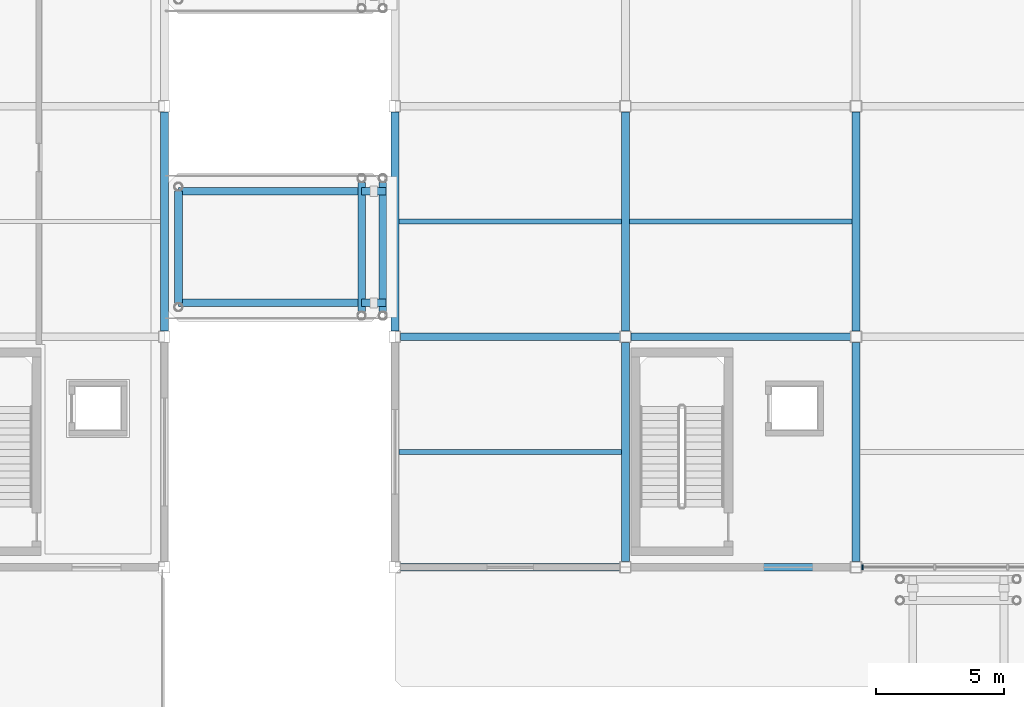
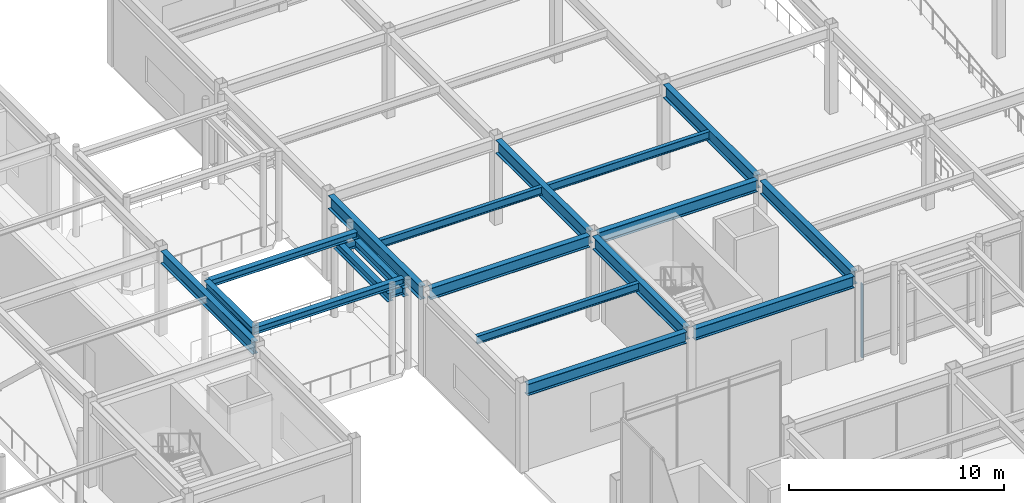
# One storey, part 41 of 123: 20 beams, 1 member, 1 element without a shape of its own.
"""IFC4 building model written with IfcOpenShell, lengths in metres."""

from ifc_helpers import new_model, si_unit, direction, frame, origin, origin_2d, place, context, subcontext, project, spatial, rectangle, i_section, extrude, material, material_profile, profile_set, type_object, element, aggregate, save


model = new_model("IFC4")

# Units and contexts
model_context = context("Model", 3, precision=1e-05, world=origin(), true_north=direction((0.0, 1.0)))
body_context = subcontext(model_context, "Body", "Model", "MODEL_VIEW")
ifc_project = project(units=[si_unit("LENGTHUNIT", "METRE"), si_unit("AREAUNIT", "SQUARE_METRE"), si_unit("VOLUMEUNIT", "CUBIC_METRE"), si_unit("PLANEANGLEUNIT", "RADIAN"), si_unit("MASSUNIT", "GRAM", prefix="KILO")], contexts=[model_context])

# Site, building, storey
site_placement = place(None, origin())
site = spatial("IfcSite", under=ifc_project, at=site_placement, CompositionType="ELEMENT")
building_placement = place(site_placement, origin())
building = spatial("IfcBuilding", under=site, at=building_placement, Name="Suzunagisa Mobility Hub", CompositionType="ELEMENT")
storey_placement = place(building_placement, origin())
storey = spatial("IfcBuildingStorey", under=building, at=storey_placement, Name="L00", CompositionType="ELEMENT", Elevation=0.0)

# Curtain wall, member
ifc_material_1 = material(Name="Thermally Broken Anodized Aluminum and Low-E Glazing", Category="aluminium")
curtain_wall_type = type_object("IfcCurtainWallType", Name="Unitised Curtain Wall CW-32 8500x4200", PredefinedType="USERDEFINED", material=ifc_material_1)
curtain_wall_placement = place(storey_placement, origin())
curtain_wall = element("IfcCurtainWall", 1, at=curtain_wall_placement, inside=storey, type_object=curtain_wall_type, Name="L00 Unitised Curtain Wall CW-91", ObjectType="UNITISED CURTAIN WALL", PredefinedType="USERDEFINED")
ifc_material_2 = material(Name="Anodized Aluminum 6063-T6", Category="aluminium")
ifc_material_profile_1 = material_profile(ifc_material_2, rectangle(XDim=0.06494140625, YDim=0.179931640625, at=origin_2d()), Name="MULL-65x180")
ifc_profile_set_1 = profile_set([ifc_material_profile_1], Name="Anodized Aluminum 6063-T6")
member_type = type_object("IfcMemberType", Name="Curtain Wall Framing CM-04 MULL-65x180", PredefinedType="MULLION", material=ifc_profile_set_1)
member_placement = place(storey_placement, frame((63.257568359375, 80.0, 0.0), z_axis=(0.0, 0.0, 1.0), x_axis=(1.0, 0.0, 0.0)))
member = element("IfcMember", 2, at=member_placement, type_object=member_type, Name="Curtain Wall Mullion 91-M1", PredefinedType="MULLION", context=body_context, shape_type="SweptSolid", body=[
    extrude(rectangle(XDim=0.06494140625, YDim=0.179931640625, at=origin_2d()), origin(), (0.0, 0.0, 1.0), 4.18994140625),
])
aggregate(curtain_wall, [member])

# Beams
ifc_material_3 = material(Name="Steel SN400B", Category="steel")
ifc_material_profile_2 = material_profile(ifc_material_3, i_section(OverallWidth=0.199951171875, OverallDepth=0.449951171875, WebThickness=0.009033203125, FlangeThickness=0.013916015625, FilletRadius=0.012939453125, at=origin_2d()), Name="H-450x200x9x14")
ifc_profile_set_2 = profile_set([ifc_material_profile_2], Name="Steel SN400B")
beam_type_1 = type_object("IfcBeamType", Name="Steel Beam BM-05 H-450x200x9x14", PredefinedType="JOIST", material=ifc_profile_set_2)
for number, where, z_axis, x_axis, name in (
    (3, (45.14990234375, 84.5, 4.614990234375), (1.0, 0.0, 0.0), (0.0, 1.0, 0.0), "L00 Composite Floor Joist J-779"),
    (4, (45.14990234375, 93.5, 4.614990234375), (1.0, 0.0, 0.0), (0.0, 1.0, 0.0), "L00 Composite Floor Joist J-780"),
    (5, (54.14990234375, 93.5, 4.614990234375), (1.0, 0.0, 0.0), (0.0, 1.0, 0.0), "L00 Composite Floor Joist J-783"),
):
    element("IfcBeam", number, at=place(storey_placement, frame(where, z_axis=z_axis, x_axis=x_axis)), inside=storey, type_object=beam_type_1, Name=name, PredefinedType="JOIST", context=body_context, shape_type="SweptSolid", body=[
        extrude(i_section(OverallWidth=0.199951171875, OverallDepth=0.449951171875, WebThickness=0.009033203125, FlangeThickness=0.013916015625, FilletRadius=0.012939453125, at=origin_2d()), origin(), (0.0, 0.0, 1.0), 8.7001953125),
    ])
ifc_material_4 = material(Name="Steel SN490B", Category="steel")
ifc_material_profile_3 = material_profile(ifc_material_4, i_section(OverallWidth=0.300048828125, OverallDepth=0.488037109375, WebThickness=0.010986328125, FlangeThickness=0.01806640625, FilletRadius=0.012939453125, at=origin_2d()), Name="H-488x300x11x18")
ifc_profile_set_3 = profile_set([ifc_material_profile_3], Name="Steel SN490B")
beam_type_2 = type_object("IfcBeamType", Name="Steel Beam BM-06 H-488x300x11x18", PredefinedType="BEAM", material=ifc_profile_set_3)
beam_1_placement = place(storey_placement, frame((36.550048828125, 90.31005859375, 4.595947265625), z_axis=(0.0, 1.0, 0.0), x_axis=(-1.0, 0.0, 0.0)))
element("IfcBeam", 6, at=beam_1_placement, inside=storey, type_object=beam_type_2, Name="L01 Skybridge Fixed Crosshead VRL-L01-S", PredefinedType="BEAM", context=body_context, shape_type="SweptSolid", body=[
    extrude(i_section(OverallWidth=0.300048828125, OverallDepth=0.488037109375, WebThickness=0.010986328125, FlangeThickness=0.01806640625, FilletRadius=0.012939453125, at=origin_2d()), origin(), (0.0, 0.0, 1.0), 4.3798828125),
])
for number, where, z_axis, x_axis, name in (
    (7, (43.699951171875, 89.97998046875, 4.2060546875), (0.0, 1.0, 0.0), (-1.0, 0.0, 0.0), "L01 Skybridge Seat Crosshead VRL-L01-S-W"),
    (8, (44.530029296875, 89.97998046875, 4.2060546875), (0.0, 1.0, 0.0), (-1.0, 0.0, 0.0), "L01 Skybridge Seat Crosshead VRL-L01-S-E"),
):
    element("IfcBeam", number, at=place(storey_placement, frame(where, z_axis=z_axis, x_axis=x_axis)), inside=storey, type_object=beam_type_2, Name=name, PredefinedType="BEAM", context=body_context, shape_type="SweptSolid", body=[
        extrude(i_section(OverallWidth=0.300048828125, OverallDepth=0.488037109375, WebThickness=0.010986328125, FlangeThickness=0.01806640625, FilletRadius=0.012939453125, at=origin_2d()), origin(), (0.0, 0.0, 1.0), 5.0400390625),
    ])
for number, where, z_axis, x_axis, name in (
    (9, (43.699951171875, 90.320068359375, 4.2060546875), (1.0, 0.0, 0.0), (0.0, 1.0, 0.0), "L01 Skybridge 950mm Bearing Seat VRL-L01-S-A"),
    (10, (43.699951171875, 94.679931640625, 4.2060546875), (1.0, 0.0, 0.0), (0.0, 1.0, 0.0), "L01 Skybridge 950mm Bearing Seat VRL-L01-S-B"),
):
    element("IfcBeam", number, at=place(storey_placement, frame(where, z_axis=z_axis, x_axis=x_axis)), inside=storey, type_object=beam_type_2, Name=name, PredefinedType="BEAM", context=body_context, shape_type="SweptSolid", body=[
        extrude(i_section(OverallWidth=0.300048828125, OverallDepth=0.488037109375, WebThickness=0.010986328125, FlangeThickness=0.01806640625, FilletRadius=0.012939453125, at=origin_2d()), origin(), (0.0, 0.0, 1.0), 0.949951171875),
    ])
ifc_material_profile_4 = material_profile(ifc_material_4, i_section(OverallWidth=0.300048828125, OverallDepth=0.64990234375, WebThickness=0.012939453125, FlangeThickness=0.02197265625, FilletRadius=0.01611328125, at=origin_2d()), Name="H-650x300x13x22")
ifc_profile_set_4 = profile_set([ifc_material_profile_4], Name="Steel SN490B")
beam_type_3 = type_object("IfcBeamType", Name="Steel Beam BM-10 H-650x300x13x22", PredefinedType="BEAM", material=ifc_profile_set_4)
for number, where, z_axis, x_axis, name in (
    (11, (45.220947265625, 80.0, 4.514892578125), (1.0, 0.0, 0.0), (0.0, 1.0, 0.0), "L00 Primary Girder GX-702"),
    (12, (54.220947265625, 80.0, 4.514892578125), (1.0, 0.0, 0.0), (0.0, 1.0, 0.0), "L00 Primary Girder GX-703"),
    (13, (45.220947265625, 89.0, 4.514892578125), (1.0, 0.0, 0.0), (0.0, 1.0, 0.0), "L00 Primary Girder GX-711"),
    (14, (54.220947265625, 89.0, 4.514892578125), (1.0, 0.0, 0.0), (0.0, 1.0, 0.0), "L00 Primary Girder GX-712"),
):
    element("IfcBeam", number, at=place(storey_placement, frame(where, z_axis=z_axis, x_axis=x_axis)), inside=storey, type_object=beam_type_3, Name=name, PredefinedType="BEAM", context=body_context, shape_type="SweptSolid", body=[
        extrude(i_section(OverallWidth=0.300048828125, OverallDepth=0.64990234375, WebThickness=0.012939453125, FlangeThickness=0.02197265625, FilletRadius=0.01611328125, at=origin_2d()), origin(), (0.0, 0.0, 1.0), 8.55810546875),
    ])
ifc_material_profile_5 = material_profile(ifc_material_4, i_section(OverallWidth=0.300048828125, OverallDepth=0.699951171875, WebThickness=0.012939453125, FlangeThickness=0.02392578125, FilletRadius=0.01806640625, at=origin_2d()), Name="H-700x300x13x24")
ifc_profile_set_5 = profile_set([ifc_material_profile_5], Name="Steel SN490B")
beam_type_4 = type_object("IfcBeamType", Name="Steel Beam BM-11 H-700x300x13x24", PredefinedType="BEAM", material=ifc_profile_set_5)
beam_2_placement = place(storey_placement, frame((36.0, 89.220947265625, 4.489990234375), z_axis=(0.0, 1.0, 0.0), x_axis=(-1.0, 0.0, 0.0)))
element("IfcBeam", 15, at=beam_2_placement, inside=storey, type_object=beam_type_4, Name="L00 Primary Girder GY-476", PredefinedType="BEAM", context=body_context, shape_type="SweptSolid", body=[
    extrude(i_section(OverallWidth=0.300048828125, OverallDepth=0.699951171875, WebThickness=0.012939453125, FlangeThickness=0.02392578125, FilletRadius=0.01806640625, at=origin_2d()), origin(), (0.0, 0.0, 1.0), 8.55810546875),
])
ifc_material_profile_6 = material_profile(ifc_material_4, i_section(OverallWidth=0.300048828125, OverallDepth=0.75, WebThickness=0.013916015625, FlangeThickness=0.02587890625, FilletRadius=0.01806640625, at=origin_2d()), Name="H-750x300x14x26")
ifc_profile_set_6 = profile_set([ifc_material_profile_6], Name="Steel SN490B")
beam_type_5 = type_object("IfcBeamType", Name="Steel Beam BM-15 H-750x300x14x26", PredefinedType="BEAM", material=ifc_profile_set_6)
for number, where, z_axis, x_axis, name in (
    (16, (45.0, 89.220947265625, 4.465087890625), (0.0, 1.0, 0.0), (-1.0, 0.0, 0.0), "L00 Primary Girder GY-743"),
    (17, (54.0, 80.220947265625, 4.465087890625), (0.0, 1.0, 0.0), (-1.0, 0.0, 0.0), "L00 Primary Girder GY-746"),
    (18, (54.0, 89.220947265625, 4.465087890625), (0.0, 1.0, 0.0), (-1.0, 0.0, 0.0), "L00 Primary Girder GY-747"),
    (19, (63.0, 80.220947265625, 4.465087890625), (0.0, 1.0, 0.0), (-1.0, 0.0, 0.0), "L00 Primary Girder GY-750"),
    (20, (63.0, 89.220947265625, 4.465087890625), (0.0, 1.0, 0.0), (-1.0, 0.0, 0.0), "L00 Primary Girder GY-751"),
):
    element("IfcBeam", number, at=place(storey_placement, frame(where, z_axis=z_axis, x_axis=x_axis)), inside=storey, type_object=beam_type_5, Name=name, PredefinedType="BEAM", context=body_context, shape_type="SweptSolid", body=[
        extrude(i_section(OverallWidth=0.300048828125, OverallDepth=0.75, WebThickness=0.013916015625, FlangeThickness=0.02587890625, FilletRadius=0.01806640625, at=origin_2d()), origin(), (0.0, 0.0, 1.0), 8.55810546875),
    ])
ifc_material_profile_7 = material_profile(ifc_material_4, i_section(OverallWidth=0.300048828125, OverallDepth=0.389892578125, WebThickness=0.010009765625, FlangeThickness=0.01611328125, FilletRadius=0.012939453125, at=origin_2d()), Name="H-390x300x10x16")
ifc_profile_set_7 = profile_set([ifc_material_profile_7], Name="Steel SN490B")
beam_type_6 = type_object("IfcBeamType", Name="Steel Beam BM-17 H-390x300x10x16", PredefinedType="T_BEAM", material=ifc_profile_set_7)
for number, where, z_axis, x_axis, name in (
    (21, (36.550048828125, 90.320068359375, 4.64501953125), (1.0, 0.0, 0.0), (0.0, 1.0, 0.0), "L01 Bridge Girder VRL-L01-S-A"),
    (22, (36.550048828125, 94.679931640625, 4.64501953125), (1.0, 0.0, 0.0), (0.0, 1.0, 0.0), "L01 Bridge Girder VRL-L01-S-B"),
):
    element("IfcBeam", number, at=place(storey_placement, frame(where, z_axis=z_axis, x_axis=x_axis)), inside=storey, type_object=beam_type_6, Name=name, PredefinedType="T_BEAM", context=body_context, shape_type="SweptSolid", body=[
        extrude(i_section(OverallWidth=0.300048828125, OverallDepth=0.389892578125, WebThickness=0.010009765625, FlangeThickness=0.01611328125, FilletRadius=0.012939453125, at=origin_2d()), origin(), (0.0, 0.0, 1.0), 8.02001953125),
    ])

save(model, "model.ifc")
